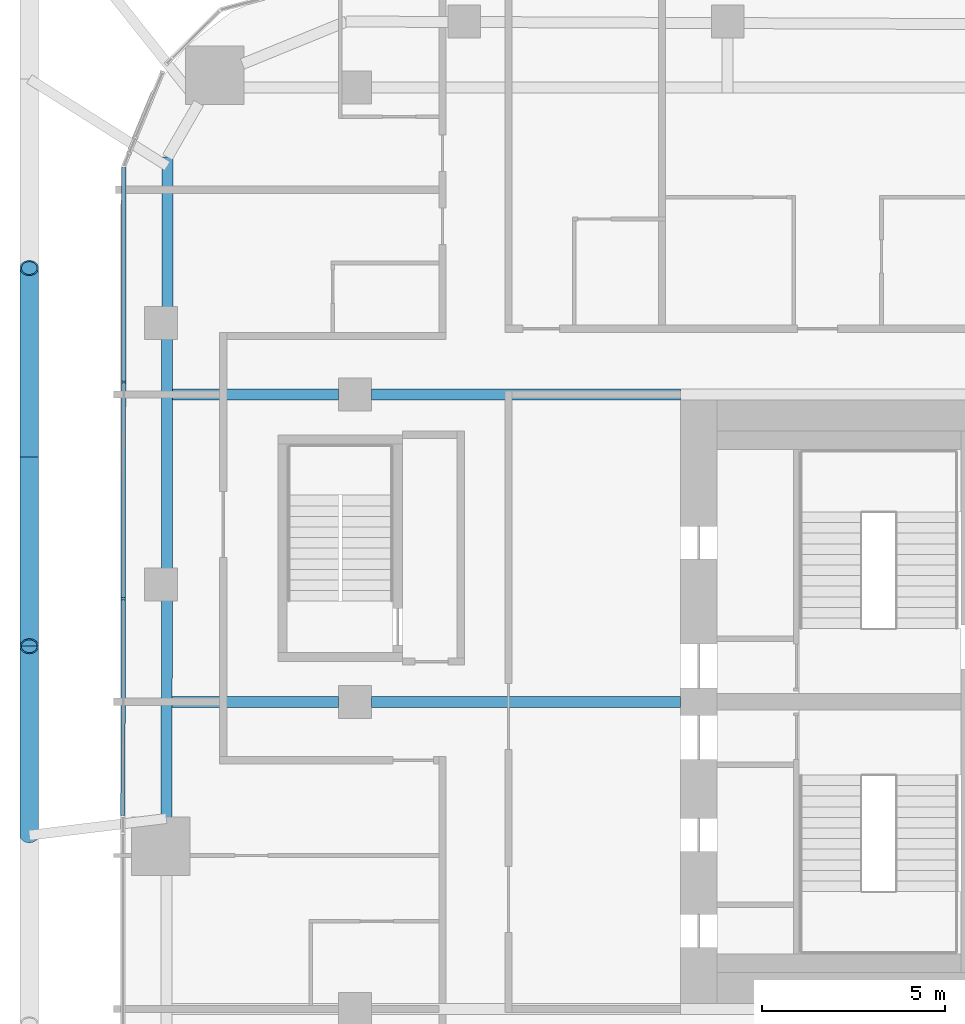
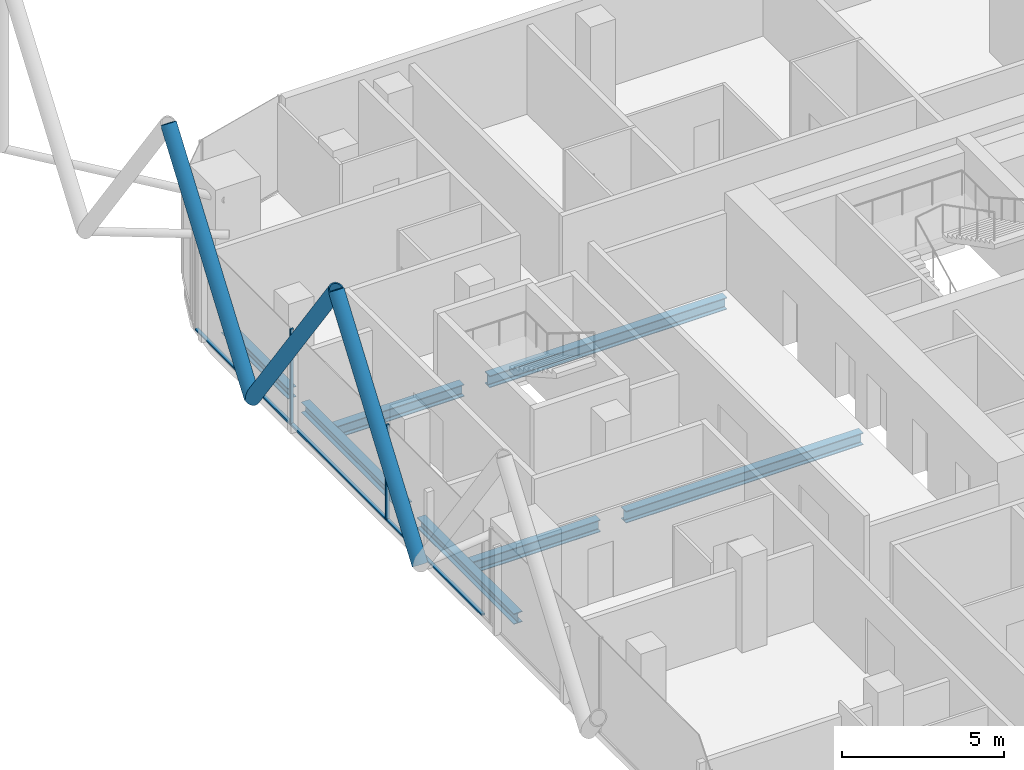
# One storey, part 9 of 36: 8 members, 7 beams, 1 element without a shape of its own.
"""IFC4 building model written with IfcOpenShell, lengths in metres."""

from ifc_helpers import new_model, si_unit, direction, frame, origin, origin_2d, place, context, subcontext, project, spatial, rectangle, hollow_circle, i_section, extrude, material, layer, layer_set, material_profile, profile_set, type_object, element, aggregate, save


model = new_model("IFC4")

# Units and contexts
model_context = context("Model", 3, precision=1e-05, world=origin(), true_north=direction((0.0, 1.0)))
body_context = subcontext(model_context, "Body", "Model", "MODEL_VIEW")
ifc_project = project(units=[si_unit("LENGTHUNIT", "METRE"), si_unit("AREAUNIT", "SQUARE_METRE"), si_unit("VOLUMEUNIT", "CUBIC_METRE"), si_unit("PLANEANGLEUNIT", "RADIAN"), si_unit("MASSUNIT", "GRAM", prefix="KILO")], contexts=[model_context])

# Site, building, storey
site_placement = place(None, origin())
site = spatial("IfcSite", under=ifc_project, at=site_placement, CompositionType="ELEMENT")
building_placement = place(site_placement, origin())
building = spatial("IfcBuilding", under=site, at=building_placement, Name="Marenta Gate Hotel Tower", CompositionType="ELEMENT")
storey_placement = place(building_placement, frame((0.0, 0.0, 130.10009765625)))
storey = spatial("IfcBuildingStorey", under=building, at=storey_placement, Name="L29", CompositionType="ELEMENT", Elevation=130.10009765625)

# Members
ifc_material_1 = material(Name="Steel S355J2W", Category="steel")
ifc_material_profile_1 = material_profile(ifc_material_1, hollow_circle(Radius=0.25390625, WallThickness=0.0400390625, at=origin_2d()), Name="CHS 508x40")
ifc_profile_set_1 = profile_set([ifc_material_profile_1], Name="Steel S355J2W")
member_type_1 = type_object("IfcMemberType", Name="Diagrid diagonal Z2 CHS 508x40", PredefinedType="BRACE", material=ifc_profile_set_1)
member_1_placement = place(storey_placement, frame((-29.89990234375, 4.75, 3.139892578125), z_axis=(0.0, 0.583260841117, 0.812284919975), x_axis=(-1.0, 0.0, 0.0)))
element("IfcMember", 1, at=member_1_placement, inside=storey, type_object=member_type_1, Name="L29-DG-30", PredefinedType="BRACE", context=body_context, shape_type="SweptSolid", body=[
    extrude(hollow_circle(Radius=0.25390625, WallThickness=0.0400390625, at=origin_2d()), origin(), (0.0, 0.0, 1.0), 8.86376953125),
])
member_2_placement = place(storey_placement, frame((-29.89990234375, 15.090087890625, 3.139892578125), z_axis=(0.0, -0.583279014058, 0.812271870595), x_axis=(1.0, 0.0, 0.0)))
element("IfcMember", 2, at=member_2_placement, inside=storey, type_object=member_type_1, Name="L29-DG-31", PredefinedType="BRACE", context=body_context, shape_type="SweptSolid", body=[
    extrude(hollow_circle(Radius=0.25390625, WallThickness=0.0400390625, at=origin_2d()), origin(), (0.0, 0.0, 1.0), 8.864013671875),
])
member_3_placement = place(storey_placement, frame((-29.89990234375, 15.090087890625, 3.139892578125), z_axis=(0.0, 0.583260841117, 0.812284919975), x_axis=(-1.0, 0.0, 0.0)))
element("IfcMember", 3, at=member_3_placement, inside=storey, type_object=member_type_1, Name="L29-DG-32", PredefinedType="BRACE", context=body_context, shape_type="SweptSolid", body=[
    extrude(hollow_circle(Radius=0.25390625, WallThickness=0.0400390625, at=origin_2d()), origin(), (0.0, 0.0, 1.0), 8.86376953125),
])

# Beams
ifc_material_2 = material(Name="Steel S355", Category="steel")
ifc_material_profile_2 = material_profile(ifc_material_2, i_section(OverallWidth=0.300048828125, OverallDepth=0.39990234375, WebThickness=0.013427734375, FlangeThickness=0.02392578125, FilletRadius=0.027099609375, at=origin_2d()), Name="HEB 400")
ifc_profile_set_2 = profile_set([ifc_material_profile_2], Name="Steel S355")
beam_type_1 = type_object("IfcBeamType", Name="Edge beam HEB 400", PredefinedType="SPANDREL", material=ifc_profile_set_2)
beam_1_placement = place(storey_placement, frame((-26.146484375, 5.2099609375, -0.460205078125), z_axis=(0.001387357379, 0.999999037619, 0.0), x_axis=(-0.999999037619, 0.001387357379, 0.0)))
element("IfcBeam", 4, at=beam_1_placement, inside=storey, type_object=beam_type_1, Name="L29-EB-8", PredefinedType="SPANDREL", context=body_context, shape_type="SweptSolid", body=[
    extrude(i_section(OverallWidth=0.300048828125, OverallDepth=0.39990234375, WebThickness=0.013427734375, FlangeThickness=0.02392578125, FilletRadius=0.027099609375, at=origin_2d()), origin(), (0.0, 0.0, 1.0), 5.983154296875),
])
beam_2_placement = place(storey_placement, frame((-26.136962890625, 12.01318359375, -0.460205078125), z_axis=(0.001387763206, 0.999999037056, 0.0), x_axis=(-0.999999037056, 0.001387763206, 0.0)))
element("IfcBeam", 5, at=beam_2_placement, inside=storey, type_object=beam_type_1, Name="L29-EB-9", PredefinedType="SPANDREL", context=body_context, shape_type="SweptSolid", body=[
    extrude(i_section(OverallWidth=0.300048828125, OverallDepth=0.39990234375, WebThickness=0.013427734375, FlangeThickness=0.02392578125, FilletRadius=0.027099609375, at=origin_2d()), origin(), (0.0, 0.0, 1.0), 6.333251953125),
])
beam_3_placement = place(storey_placement, frame((-26.126953125, 19.16650390625, -0.460205078125), z_axis=(0.001361187116, 0.999999073584, 0.0), x_axis=(-0.999999073584, 0.001361187116, 0.0)))
element("IfcBeam", 6, at=beam_3_placement, inside=storey, type_object=beam_type_1, Name="L29-EB-10", PredefinedType="SPANDREL", context=body_context, shape_type="SweptSolid", body=[
    extrude(i_section(OverallWidth=0.300048828125, OverallDepth=0.39990234375, WebThickness=0.013427734375, FlangeThickness=0.02392578125, FilletRadius=0.027099609375, at=origin_2d()), origin(), (0.0, 0.0, 1.0), 4.125244140625),
])
ifc_material_3 = material(Name="Steel S355", Category="steel")
ifc_material_profile_3 = material_profile(ifc_material_3, i_section(OverallWidth=0.300048828125, OverallDepth=0.449951171875, WebThickness=0.013916015625, FlangeThickness=0.02587890625, FilletRadius=0.027099609375, at=origin_2d()), Name="HEB 450")
ifc_profile_set_3 = profile_set([ifc_material_profile_3], Name="Steel S355")
beam_type_2 = type_object("IfcBeamType", Name="Girder HEB 450", PredefinedType="BEAM", material=ifc_profile_set_3)
beam_4_placement = place(storey_placement, frame((-25.991943359375, 8.39990234375, -0.485107421875), z_axis=(1.0, 0.0, 0.0), x_axis=(0.0, 1.0, 0.0)))
element("IfcBeam", 7, at=beam_4_placement, inside=storey, type_object=beam_type_2, Name="L29-GD-20", PredefinedType="BEAM", context=body_context, shape_type="SweptSolid", body=[
    extrude(i_section(OverallWidth=0.300048828125, OverallDepth=0.449951171875, WebThickness=0.013916015625, FlangeThickness=0.02587890625, FilletRadius=0.027099609375, at=origin_2d()), origin(), (0.0, 0.0, 1.0), 4.5419921875),
])
beam_5_placement = place(storey_placement, frame((-20.550048828125, 8.39990234375, -0.485107421875), z_axis=(1.0, 0.0, 0.0), x_axis=(0.0, 1.0, 0.0)))
element("IfcBeam", 8, at=beam_5_placement, inside=storey, type_object=beam_type_2, Name="L29-GD-21", PredefinedType="BEAM", context=body_context, shape_type="SweptSolid", body=[
    extrude(i_section(OverallWidth=0.300048828125, OverallDepth=0.449951171875, WebThickness=0.013916015625, FlangeThickness=0.02587890625, FilletRadius=0.027099609375, at=origin_2d()), origin(), (0.0, 0.0, 1.0), 8.449951171875),
])
beam_6_placement = place(storey_placement, frame((-25.980224609375, 16.800048828125, -0.485107421875), z_axis=(1.0, 0.0, 0.0), x_axis=(0.0, 1.0, 0.0)))
element("IfcBeam", 9, at=beam_6_placement, inside=storey, type_object=beam_type_2, Name="L29-GD-24", PredefinedType="BEAM", context=body_context, shape_type="SweptSolid", body=[
    extrude(i_section(OverallWidth=0.300048828125, OverallDepth=0.449951171875, WebThickness=0.013916015625, FlangeThickness=0.02587890625, FilletRadius=0.027099609375, at=origin_2d()), origin(), (0.0, 0.0, 1.0), 4.5302734375),
])
beam_7_placement = place(storey_placement, frame((-20.550048828125, 16.800048828125, -0.485107421875), z_axis=(1.0, 0.0, 0.0), x_axis=(0.0, 1.0, 0.0)))
element("IfcBeam", 10, at=beam_7_placement, inside=storey, type_object=beam_type_2, Name="L29-GD-25", PredefinedType="BEAM", context=body_context, shape_type="SweptSolid", body=[
    extrude(i_section(OverallWidth=0.300048828125, OverallDepth=0.449951171875, WebThickness=0.013916015625, FlangeThickness=0.02587890625, FilletRadius=0.027099609375, at=origin_2d()), origin(), (0.0, 0.0, 1.0), 8.449951171875),
])

# Curtain wall, members
ifc_material_4 = material(Name="Tinted insulated glass in bronze anodised frame", Category="glass")
ifc_layer = layer(ifc_material_4, 0.1201171875)
ifc_layer_set = layer_set([ifc_layer], Name="Tinted insulated glass in bronze anodised frame")
curtain_wall_type = type_object("IfcCurtainWallType", Name="Tower unitised curtain wall CW1", PredefinedType="NOTDEFINED", material=ifc_layer_set)
curtain_wall_placement = place(storey_placement, origin())
curtain_wall = element("IfcCurtainWall", 11, at=curtain_wall_placement, inside=storey, type_object=curtain_wall_type, Name="CW1 run G06", PredefinedType="NOTDEFINED")
ifc_material_5 = material(Name="Bronze anodised aluminium", Category="aluminium")
ifc_material_profile_4 = material_profile(ifc_material_5, rectangle(XDim=0.1201171875, YDim=0.06005859375, at=origin_2d()), Name="Mullion CW1 60x120 bronze anodised aluminium")
ifc_profile_set_4 = profile_set([ifc_material_profile_4], Name="Bronze anodised aluminium")
member_type_2 = type_object("IfcMemberType", Name="Mullion CW1 60x120 bronze anodised aluminium", PredefinedType="MULLION", material=ifc_profile_set_4)
member_4_placement = place(storey_placement, frame((-27.321533203125, 17.141357421875, 0.0), z_axis=(0.0, 0.0, 1.0), x_axis=(0.999998768051, -0.001569680138, 0.0)))
member_4 = element("IfcMember", 12, at=member_4_placement, type_object=member_type_2, Name="CW1 mullion 2", PredefinedType="MULLION", context=body_context, shape_type="SweptSolid", body=[
    extrude(rectangle(XDim=0.1201171875, YDim=0.06005859375, at=origin_2d()), origin(), (0.0, 0.0, 1.0), 3.599853515625),
])
member_5_placement = place(storey_placement, frame((-27.330810546875, 11.216552734375, 0.0), z_axis=(0.0, 0.0, 1.0), x_axis=(0.999998768051, -0.001569680138, 0.0)))
member_5 = element("IfcMember", 13, at=member_5_placement, type_object=member_type_2, Name="CW1 mullion 3", PredefinedType="MULLION", context=body_context, shape_type="SweptSolid", body=[
    extrude(rectangle(XDim=0.1201171875, YDim=0.06005859375, at=origin_2d()), origin(), (0.0, 0.0, 1.0), 3.599853515625),
])
ifc_material_6 = material(Name="Bronze anodised aluminium", Category="aluminium")
ifc_material_profile_5 = material_profile(ifc_material_6, rectangle(XDim=0.1201171875, YDim=0.06005859375, at=origin_2d()), Name="Transom CW1 60x120 bronze anodised aluminium")
ifc_profile_set_5 = profile_set([ifc_material_profile_5], Name="Bronze anodised aluminium")
member_type_3 = type_object("IfcMemberType", Name="Transom CW1 60x120 bronze anodised aluminium", PredefinedType="USERDEFINED", material=ifc_profile_set_5)
member_6_placement = place(storey_placement, frame((-27.3125, 23.006103515625, 0.02978515625), z_axis=(-0.001548180077, -0.999998801569, 0.0), x_axis=(0.999998801569, -0.001548180077, 0.0)))
member_6 = element("IfcMember", 14, at=member_6_placement, type_object=member_type_3, Name="CW1 transom 1.1", ObjectType="TRANSOM", PredefinedType="USERDEFINED", context=body_context, shape_type="SweptSolid", body=[
    extrude(rectangle(XDim=0.1201171875, YDim=0.06005859375, at=origin_2d()), origin(), (0.0, 0.0, 1.0), 5.834716796875),
])
member_7_placement = place(storey_placement, frame((-27.321533203125, 17.111328125, 0.02978515625), z_axis=(-0.001581881294, -0.999998748825, 0.0), x_axis=(0.999998748825, -0.001581881294, 0.0)))
member_7 = element("IfcMember", 15, at=member_7_placement, type_object=member_type_3, Name="CW1 transom 2.1", ObjectType="TRANSOM", PredefinedType="USERDEFINED", context=body_context, shape_type="SweptSolid", body=[
    extrude(rectangle(XDim=0.1201171875, YDim=0.06005859375, at=origin_2d()), origin(), (0.0, 0.0, 1.0), 5.86474609375),
])
member_8_placement = place(storey_placement, frame((-27.3310546875, 11.186767578125, 0.02978515625), z_axis=(-0.001532406567, -0.999998825864, 0.0), x_axis=(0.999998825864, -0.001532406567, 0.0)))
member_8 = element("IfcMember", 16, at=member_8_placement, type_object=member_type_3, Name="CW1 transom 3.1", ObjectType="TRANSOM", PredefinedType="USERDEFINED", context=body_context, shape_type="SweptSolid", body=[
    extrude(rectangle(XDim=0.1201171875, YDim=0.06005859375, at=origin_2d()), origin(), (0.0, 0.0, 1.0), 5.894775390625),
])
aggregate(curtain_wall, [member_4, member_5, member_6, member_7, member_8])

save(model, "model.ifc")
